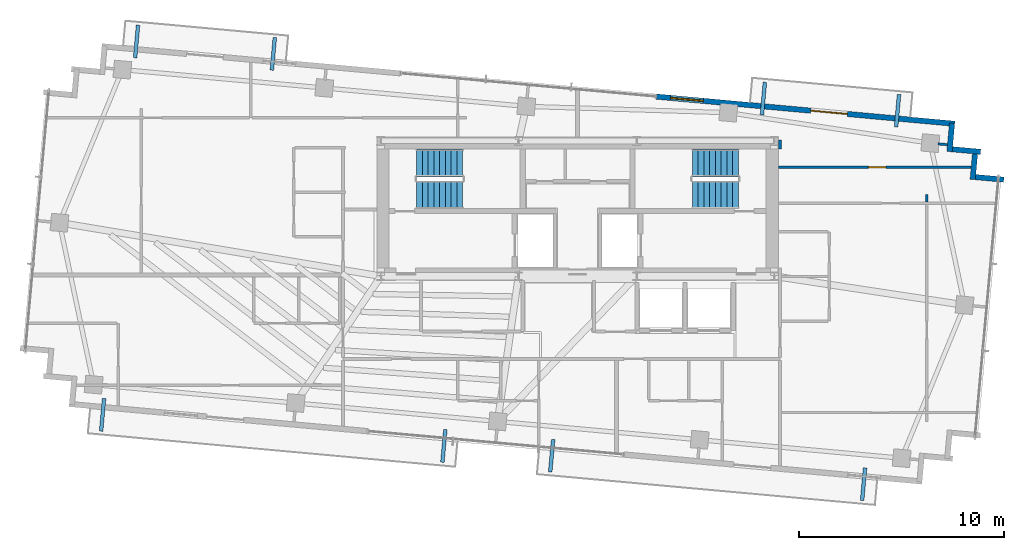
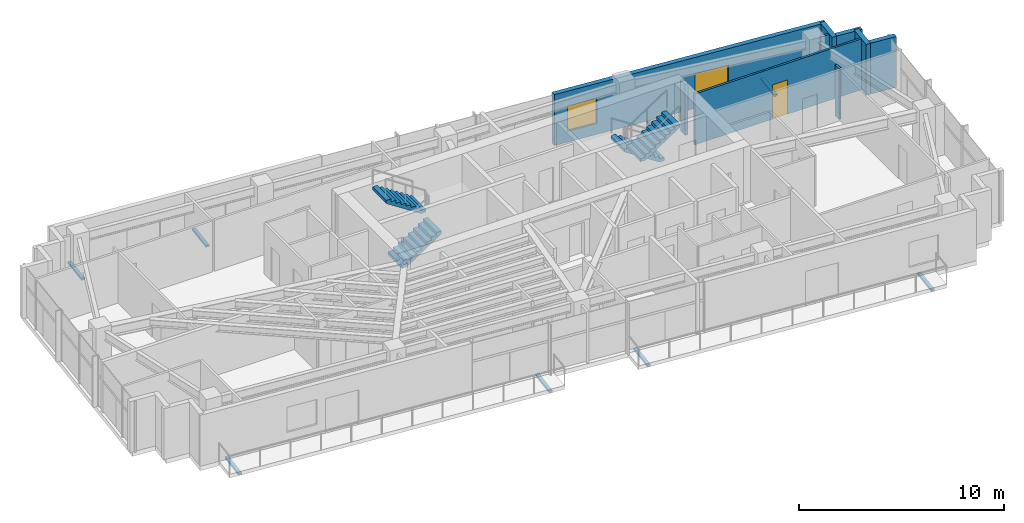
# One storey, part 19 of 22: 9 walls, 8 discrete accessories, 4 stair flights, 2 doors, 1 window, 3 openings, 2 elements without a shape of their own.
"""IFC4 building model written with IfcOpenShell, lengths in metres."""

import ifcopenshell
import ifcopenshell.guid

model = None  # the IFC model being written
_history = None  # IfcOwnerHistory: only IFC2X3 demands one
_inside = {}  # id of a spatial element -> (the spatial element, [elements in it])
_under = {}  # id of a project, library or spatial element -> (it, [spatial elements below it])
_declared = {}  # id of a project -> (the project, [libraries it declares])
_typed = {}  # id of a type object -> (the type object, [elements of that type])
_made_of = {}  # id of a material, layer set ... -> (it, [elements and type objects made of it])


def new_model(schema):
    """Start an empty IFC model of exactly this schema.

    Asked for "IFC4X3", IfcOpenShell would pick the latest addendum, in which some entities
    have other attributes; the version numbers below select the first issue.
    IFC2X3 requires an IfcOwnerHistory on every rooted entity: one is made here for all.
    """
    global model, _history
    if schema == "IFC4X3":
        model = ifcopenshell.file(schema_version=(4, 3, 0, 0))
    else:
        model = ifcopenshell.file(schema=schema)
    _inside.clear()
    _under.clear()
    _declared.clear()
    _typed.clear()
    _made_of.clear()
    _history = None
    if model.schema == "IFC2X3":
        org = make("IfcOrganization", Name="unknown")
        user = make(
            "IfcPersonAndOrganization",
            ThePerson=make("IfcPerson", FamilyName="unknown"),
            TheOrganization=org,
        )
        app = make(
            "IfcApplication",
            ApplicationDeveloper=org,
            Version="unknown",
            ApplicationFullName="unknown",
            ApplicationIdentifier="unknown",
        )
        _history = make(
            "IfcOwnerHistory",
            OwningUser=user,
            OwningApplication=app,
            ChangeAction="ADDED",
            CreationDate=0,
        )
    return model


def make(cls, **values):
    """One entity of the class cls with the attributes given. An attribute that is None is left unset."""
    return model.create_entity(
        cls, **{name: value for name, value in values.items() if value is not None}
    )


def rooted(cls, **values):
    """An entity with a GlobalId (a new one), such as an element, a storey or a relation."""
    return make(cls, GlobalId=ifcopenshell.guid.new(), OwnerHistory=_history, **values)


def si_unit(unit_type, name, prefix=None):
    """IfcSIUnit, for example si_unit("LENGTHUNIT", "METRE", prefix="MILLI")."""
    return make("IfcSIUnit", UnitType=unit_type, Prefix=prefix, Name=name)


def assignment(units):
    """IfcUnitAssignment: the units of a project."""
    return None if units is None else make("IfcUnitAssignment", Units=units)


def point(xyz):
    """IfcCartesianPoint."""
    return None if xyz is None else make("IfcCartesianPoint", Coordinates=xyz)


def direction(xyz):
    """IfcDirection."""
    return None if xyz is None else make("IfcDirection", DirectionRatios=xyz)


def frame(location, z_axis=None, x_axis=None):
    """IfcAxis2Placement3D, a coordinate frame: its origin and axes. An axis left out is left unset."""
    return make(
        "IfcAxis2Placement3D",
        Location=point(location),
        Axis=direction(z_axis),
        RefDirection=direction(x_axis),
    )


def frame_2d(location, x_axis=None):
    """IfcAxis2Placement2D, a coordinate frame in the plane: its origin and x axis."""
    return make(
        "IfcAxis2Placement2D", Location=point(location), RefDirection=direction(x_axis)
    )


def origin():
    """The frame at (0, 0, 0) with its axes left unset."""
    return frame((0.0, 0.0, 0.0))


def origin_2d():
    """The frame at (0, 0) in the plane with its x axis left unset."""
    return frame_2d((0.0, 0.0))


def place(relative_to, where):
    """IfcLocalPlacement: puts the frame where relative to a parent placement (None: the world)."""
    return make(
        "IfcLocalPlacement", PlacementRelTo=relative_to, RelativePlacement=where
    )


def context(
    kind, dimensions, precision=None, world=None, true_north=None, identifier=None
):
    """IfcGeometricRepresentationContext, for example the 3D "Model" context."""
    return make(
        "IfcGeometricRepresentationContext",
        ContextIdentifier=identifier,
        ContextType=kind,
        CoordinateSpaceDimension=dimensions,
        Precision=precision,
        WorldCoordinateSystem=world,
        TrueNorth=true_north,
    )


def subcontext(parent, identifier, kind, view, scale=None):
    """IfcGeometricRepresentationSubContext, for example "Body" below "Model"."""
    return make(
        "IfcGeometricRepresentationSubContext",
        ContextIdentifier=identifier,
        ContextType=kind,
        ParentContext=parent,
        TargetScale=scale,
        TargetView=view,
    )


def project(units=None, contexts=None):
    """IfcProject with its units and contexts."""
    return rooted(
        "IfcProject",
        Name="project",
        RepresentationContexts=contexts,
        UnitsInContext=assignment(units),
    )


def spatial(cls, under=None, at=None, **own):
    """A site, building, storey or space (cls), placed at a placement, below another one or the project."""
    s = rooted(cls, ObjectPlacement=at, **own)
    if under is not None:
        _under.setdefault(under.id(), (under, []))[1].append(s)
    return s


def polyline(points):
    """IfcPolyline through the points."""
    return make("IfcPolyline", Points=[point(p) for p in points])


def profile(cls, at=None, kind="AREA", **sizes):
    """A parametric profile (cls). Its sizes go by their IFC names, for example OverallWidth=200.0."""
    return make(cls, ProfileType=kind, Position=at, **sizes)


def rectangle(**sizes):
    """IfcRectangleProfileDef."""
    return profile("IfcRectangleProfileDef", **sizes)


def outline(outer, holes=None, kind="AREA"):
    """IfcArbitraryClosedProfileDef: a profile drawn as a closed curve; with holes, ...WithVoids."""
    if holes is None:
        return make("IfcArbitraryClosedProfileDef", ProfileType=kind, OuterCurve=outer)
    return make(
        "IfcArbitraryProfileDefWithVoids",
        ProfileType=kind,
        OuterCurve=outer,
        InnerCurves=holes,
    )


def extrude(swept, where, along, depth):
    """IfcExtrudedAreaSolid: the profile swept, set in the frame where, extruded along a direction by depth."""
    return make(
        "IfcExtrudedAreaSolid",
        SweptArea=swept,
        Position=where,
        ExtrudedDirection=direction(along),
        Depth=depth,
    )


def shape(context_of_items, identifier, shape_type, items):
    """IfcShapeRepresentation: the items that make up one representation, for example the "Body"."""
    return make(
        "IfcShapeRepresentation",
        ContextOfItems=context_of_items,
        RepresentationIdentifier=identifier,
        RepresentationType=shape_type,
        Items=items,
    )


def source(mapping_origin, context_of_items, identifier, shape_type, items):
    """IfcRepresentationMap: a shape defined once, which mapped items show again and again."""
    return make(
        "IfcRepresentationMap",
        MappingOrigin=mapping_origin,
        MappedRepresentation=shape(context_of_items, identifier, shape_type, items),
    )


def transform(
    local_origin,
    x_axis=None,
    y_axis=None,
    z_axis=None,
    scale=None,
    scale2=None,
    scale3=None,
    uniform=True,
):
    """IfcCartesianTransformationOperator3D, or its non-uniform kind. x_axis, y_axis, z_axis: its Axis1, 2, 3."""
    if uniform:
        return make(
            "IfcCartesianTransformationOperator3D",
            Axis1=direction(x_axis),
            Axis2=direction(y_axis),
            LocalOrigin=point(local_origin),
            Scale=scale,
            Axis3=direction(z_axis),
        )
    return make(
        "IfcCartesianTransformationOperator3DnonUniform",
        Axis1=direction(x_axis),
        Axis2=direction(y_axis),
        LocalOrigin=point(local_origin),
        Scale=scale,
        Axis3=direction(z_axis),
        Scale2=scale2,
        Scale3=scale3,
    )


def mapped(mapping_source, mapping_target):
    """IfcMappedItem: shows the shape of a source again, moved by a transform."""
    return make(
        "IfcMappedItem", MappingSource=mapping_source, MappingTarget=mapping_target
    )


def material(Name=None, Category=None):
    """IfcMaterial."""
    return make("IfcMaterial", Name=Name, Category=Category)


def layer(
    of_material, thickness, ventilated=None, Name=None, Category=None, Priority=None
):
    """IfcMaterialLayer: one layer of a wall or slab, of a material (None: an air gap)."""
    return make(
        "IfcMaterialLayer",
        Material=of_material,
        LayerThickness=thickness,
        IsVentilated=ventilated,
        Name=Name,
        Category=Category,
        Priority=Priority,
    )


def layer_set(layers, Name=None):
    """IfcMaterialLayerSet."""
    return make("IfcMaterialLayerSet", MaterialLayers=layers, LayerSetName=Name)


def made_of(thing, what):
    """Note that an element or type object is made of a material, layer set ...; save() writes the relation."""
    if what is not None:
        _made_of.setdefault(what.id(), (what, []))[1].append(thing)
    return thing


def type_object(cls, material=None, **own):
    """A type object (cls), such as IfcWallType, which elements share."""
    return made_of(rooted(cls, **own), material)


def type_shapes(of_type, sources):
    """Give a type object the sources (RepresentationMaps) that its elements show as mapped items."""
    of_type.RepresentationMaps = sources


def element(
    cls,
    number,
    at=None,
    inside=None,
    cuts=None,
    type_object=None,
    material=None,
    context=None,
    identifier="Body",
    shape_type=None,
    held_by="IfcProductDefinitionShape",
    body=None,
    shapes=None,
    **own,
):
    """One element of the class cls, such as IfcWall. Its Tag is "e" and its number.

    at: its placement. inside: the storey or other place that contains it. cuts: it is an
    opening in that element (IfcRelVoidsElement). A single representation is given by context,
    identifier, shape_type and body (its items); several are given by shapes. held_by: the class
    of the entity that holds the representations. save() writes the other relations.
    """
    e = rooted(cls, Tag="e%d" % number, ObjectPlacement=at, **own)
    if body is not None:
        shapes = [shape(context, identifier, shape_type, body)]
    if shapes is not None:
        e.Representation = make(held_by, Representations=shapes)
    if inside is not None:
        _inside.setdefault(inside.id(), (inside, []))[1].append(e)
    if cuts is not None:
        rooted(
            "IfcRelVoidsElement", RelatingBuildingElement=cuts, RelatedOpeningElement=e
        )
    if type_object is not None:
        _typed.setdefault(type_object.id(), (type_object, []))[1].append(e)
    return made_of(e, material)


def fill(opening, filler):
    """IfcRelFillsElement: the door or window that sits in an opening."""
    return rooted(
        "IfcRelFillsElement",
        RelatingOpeningElement=opening,
        RelatedBuildingElement=filler,
    )


def aggregate(whole, parts):
    """IfcRelAggregates: a whole, such as a stair, and the parts it consists of."""
    return rooted("IfcRelAggregates", RelatingObject=whole, RelatedObjects=parts)


def save(model, path):
    """Write the relations noted so far, then the file.

    IfcRelAggregates (storeys below a building ...), IfcRelContainedInSpatialStructure (elements
    in a storey), IfcRelDefinesByType, IfcRelAssociatesMaterial and IfcRelDeclares: one each for
    every whole, place, type object, material and project.
    """
    for whole, parts in _under.values():
        aggregate(whole, parts)
    for where, things in _inside.values():
        rooted(
            "IfcRelContainedInSpatialStructure",
            RelatedElements=things,
            RelatingStructure=where,
        )
    for kind, things in _typed.values():
        rooted("IfcRelDefinesByType", RelatedObjects=things, RelatingType=kind)
    for what, things in _made_of.values():
        rooted("IfcRelAssociatesMaterial", RelatedObjects=things, RelatingMaterial=what)
    for by, libraries in _declared.values():
        rooted("IfcRelDeclares", RelatingContext=by, RelatedDefinitions=libraries)
    model.write(path)


model = new_model("IFC4")

# Units and contexts
model_context = context("Model", 3, precision=1e-05, world=origin(), true_north=direction((0.0, 1.0)))
body_context = subcontext(model_context, "Body", "Model", "MODEL_VIEW")
ifc_project = project(units=[si_unit("LENGTHUNIT", "METRE"), si_unit("AREAUNIT", "SQUARE_METRE"), si_unit("VOLUMEUNIT", "CUBIC_METRE"), si_unit("PLANEANGLEUNIT", "RADIAN"), si_unit("MASSUNIT", "GRAM", prefix="KILO")], contexts=[model_context])

# Site, building, storey
site_placement = place(None, origin())
site = spatial("IfcSite", under=ifc_project, at=site_placement, CompositionType="ELEMENT")
building_placement = place(site_placement, origin())
building = spatial("IfcBuilding", under=site, at=building_placement, Name="Astriad Promenade Condominiums", CompositionType="ELEMENT")
storey_placement = place(building_placement, frame((0.0, 0.0, 223.199951171875)))
storey = spatial("IfcBuildingStorey", under=building, at=storey_placement, Name="L64", CompositionType="ELEMENT", Elevation=223.199951171875)

# Wall
ifc_material_1 = material(Name="Fire-Rated Gypsum Partition")
ifc_layer_1 = layer(ifc_material_1, 0.159912109375)
ifc_layer_set_1 = layer_set([ifc_layer_1], Name="Fire-Rated Gypsum Partition")
wall_type_1 = type_object("IfcWallType", Name="WALL-CORR-160", PredefinedType="PARTITIONING", material=ifc_layer_set_1)
wall_1_placement = place(storey_placement, frame((45.8798828125, 23.597900390625, 0.0), z_axis=(0.0, 0.0, 1.0), x_axis=(0.0, 1.0, 0.0)))
element("IfcWall", 1, at=wall_1_placement, inside=storey, type_object=wall_type_1, Name="PT-COR-E-L64-S3", PredefinedType="PARTITIONING", context=body_context, shape_type="SweptSolid", body=[
    extrude(rectangle(XDim=0.4521484375, YDim=0.159912109375, at=frame_2d((0.22607421875, 0.0))), origin(), (0.0, 0.0, 1.0), 3.0400390625),
])

# Wall, openings, door, window
ifc_material_2 = material(Name="Precast concrete C50/60", Category="concrete")
ifc_layer_2 = layer(ifc_material_2, 0.260009765625)
ifc_layer_set_2 = layer_set([ifc_layer_2], Name="Precast concrete C50/60")
wall_type_2 = type_object("IfcWallType", Name="WALL-EXT-TWR-260", PredefinedType="STANDARD", material=ifc_layer_set_2)
wall_2_placement = place(storey_placement, frame((39.839111328125, 26.16552734375, 0.0), z_axis=(0.0, 0.0, 1.0), x_axis=(0.995884447498, -0.090632043071, 0.0)))
wall_2 = element("IfcWall", 2, at=wall_2_placement, inside=storey, type_object=wall_type_2, Name="W-EXT-L64-N2", PredefinedType="STANDARD", context=body_context, shape_type="SweptSolid", body=[
    extrude(rectangle(XDim=14.6298828125, YDim=0.260009765625, at=frame_2d((7.31494140625, 0.0))), origin(), (0.0, 0.0, 1.0), 3.0400390625),
])
opening_1_placement = place(wall_2_placement, frame((7.570068359375, 0.0, 0.0)))
opening_1 = element("IfcOpeningElement", 3, at=opening_1_placement, cuts=wall_2, Name="Opening BD-1822-SLD", PredefinedType="OPENING", context=body_context, shape_type="SweptSolid", body=[
    extrude(rectangle(XDim=1.800048828125, YDim=2.06005859375, at=frame_2d((0.89990234375, 1.030029296875))), frame((0.0, 0.139892578125, 0.0), z_axis=(0.0, -1.0, 0.0), x_axis=(1.0, 0.0, 0.0)), (0.0, 0.0, 1.0), 0.280029296875),
])
opening_2_placement = place(wall_2_placement, frame((0.699951171875, 0.0, 0.64990234375)))
opening_2 = element("IfcOpeningElement", 4, at=opening_2_placement, cuts=wall_2, Name="Opening WIN-TWR-1620", PredefinedType="OPENING", context=body_context, shape_type="SweptSolid", body=[
    extrude(rectangle(XDim=1.60009765625, YDim=1.5, at=frame_2d((0.800048828125, 0.75))), frame((0.0, 0.139892578125, 0.0), z_axis=(0.0, -1.0, 0.0), x_axis=(1.0, 0.0, 0.0)), (0.0, 0.0, 1.0), 0.280029296875),
])
ifc_material_3 = material(Name="Thermally Broken Aluminium Sliding Balcony Door", Category="aluminium")
door_type_1 = type_object("IfcDoorType", Name="BD-1822-SLD", OperationType="NOTDEFINED", PredefinedType="DOOR", material=ifc_material_3)
shared_shape_1 = source(origin(), body_context, "Body", "SweptSolid", [
    extrude(rectangle(XDim=1.800048828125, YDim=2.06005859375, at=frame_2d((0.89990234375, 1.030029296875))), frame((0.0, 0.02490234375, 0.0), z_axis=(0.0, -1.0, 0.0), x_axis=(1.0, 0.0, 0.0)), (0.0, 0.0, 1.0), 0.050048828125),
])
type_shapes(door_type_1, [shared_shape_1])
door_1_placement = place(opening_1_placement, origin())
door_1 = element("IfcDoor", 5, at=door_1_placement, inside=storey, type_object=door_type_1, Name="BD-L64-NE", OperationType="SLIDING_TO_RIGHT", OverallHeight=2.06005859375, OverallWidth=1.800048828125, PredefinedType="DOOR", context=body_context, shape_type="MappedRepresentation", body=[
    mapped(shared_shape_1, transform((0.0, 0.0, 0.0), scale=1.0)),
])
fill(opening_1, door_1)
ifc_material_4 = material(Name="Dark Tinted Triple-Glazed Aluminium Window", Category="aluminium")
window_type = type_object("IfcWindowType", Name="WIN-TWR-1620", PartitioningType="SINGLE_PANEL", PredefinedType="WINDOW", material=ifc_material_4)
shared_shape_2 = source(origin(), body_context, "Body", "SweptSolid", [
    extrude(rectangle(XDim=1.60009765625, YDim=1.5, at=frame_2d((0.800048828125, 0.75))), frame((0.0, 0.030029296875, 0.0), z_axis=(0.0, -1.0, 0.0), x_axis=(1.0, 0.0, 0.0)), (0.0, 0.0, 1.0), 0.06005859375),
])
type_shapes(window_type, [shared_shape_2])
window_placement = place(opening_2_placement, origin())
window = element("IfcWindow", 6, at=window_placement, inside=storey, type_object=window_type, Name="WIN-L64-NE", OverallHeight=1.5, OverallWidth=1.60009765625, PartitioningType="SINGLE_PANEL", PredefinedType="WINDOW", context=body_context, shape_type="MappedRepresentation", body=[
    mapped(shared_shape_2, transform((0.0, 0.0, 0.0), scale=1.0)),
])
fill(opening_2, window)

# Walls
wall_3_placement = place(storey_placement, frame((54.28076171875, 24.866455078125, 0.0), z_axis=(0.0, 0.0, 1.0), x_axis=(-0.090661991521, -0.995881721538, 0.0)))
element("IfcWall", 7, at=wall_3_placement, inside=storey, type_object=wall_type_2, Name="W-SER-L64-09", PredefinedType="STANDARD", context=body_context, shape_type="SweptSolid", body=[
    extrude(rectangle(XDim=1.39501953125, YDim=0.260009765625, at=frame_2d((0.697509765625, 0.0))), origin(), (0.0, 0.0, 1.0), 3.0400390625),
])
for number, where, z_axis, x_axis, name in (
    (8, (54.280517578125, 23.59619140625, 0.0), (0.0, 0.0, 1.0), (0.995883159782, -0.090646191665, 0.0), "W-SER-L64-10"),
    (9, (55.412353515625, 23.50830078125, 0.0), (0.0, 0.0, 1.0), (-0.090646191665, -0.995883159782, 0.0), "W-SER-L64-11"),
    (10, (55.412109375, 22.238037109375, 0.0), (0.0, 0.0, 1.0), (0.995883159782, -0.090646191665, 0.0), "W-SER-L64-12"),
):
    element("IfcWall", number, at=place(storey_placement, frame(where, z_axis=z_axis, x_axis=x_axis)), inside=storey, type_object=wall_type_2, Name=name, PredefinedType="STANDARD", context=body_context, shape_type="SweptSolid", body=[
        extrude(rectangle(XDim=1.395263671875, YDim=0.260009765625, at=frame_2d((0.69775390625, 0.0))), origin(), (0.0, 0.0, 1.0), 3.0400390625),
    ])

# Wall, opening, door
ifc_material_5 = material(Name="Acoustic Metal-Stud Gypsum Partition")
ifc_layer_3 = layer(ifc_material_5, 0.1201171875)
ifc_layer_set_3 = layer_set([ifc_layer_3], Name="Acoustic Metal-Stud Gypsum Partition")
wall_type_3 = type_object("IfcWallType", Name="WALL-PART-120", PredefinedType="PARTITIONING", material=ifc_layer_set_3)
wall_4_placement = place(storey_placement, frame((45.802001953125, 22.717041015625, 0.0), z_axis=(0.0, 0.0, 1.0), x_axis=(1.0, 0.0, 0.0)))
wall_4 = element("IfcWall", 11, at=wall_4_placement, inside=storey, type_object=wall_type_3, Name="PT-L64-E1-WDN1", PredefinedType="PARTITIONING", context=body_context, shape_type="SweptSolid", body=[
    extrude(rectangle(XDim=9.40576171875, YDim=0.1201171875, at=frame_2d((4.702880859375, 0.0))), origin(), (0.0, 0.0, 1.0), 3.0400390625),
])
opening_3_placement = place(wall_4_placement, frame((4.39697265625, 0.0, 0.0)))
opening_3 = element("IfcOpeningElement", 12, at=opening_3_placement, cuts=wall_4, Name="Opening D-INT-085", PredefinedType="OPENING", context=body_context, shape_type="SweptSolid", body=[
    extrude(rectangle(XDim=0.85009765625, YDim=2.050048828125, at=frame_2d((0.425048828125, 1.02490234375))), frame((0.0, 0.070068359375, 0.0), z_axis=(0.0, -1.0, 0.0), x_axis=(1.0, 0.0, 0.0)), (0.0, 0.0, 1.0), 0.14013671875),
])
ifc_material_6 = material(Name="Painted Solid-Core Timber Room Door", Category="wood")
door_type_2 = type_object("IfcDoorType", Name="D-INT-085", OperationType="NOTDEFINED", PredefinedType="DOOR", material=ifc_material_6)
shared_shape_3 = source(origin(), body_context, "Body", "SweptSolid", [
    extrude(rectangle(XDim=0.85009765625, YDim=2.050048828125, at=frame_2d((0.425048828125, 1.02490234375))), frame((0.0, 0.02490234375, 0.0), z_axis=(0.0, -1.0, 0.0), x_axis=(1.0, 0.0, 0.0)), (0.0, 0.0, 1.0), 0.050048828125),
])
type_shapes(door_type_2, [shared_shape_3])
door_2_placement = place(opening_3_placement, origin())
door_2 = element("IfcDoor", 13, at=door_2_placement, inside=storey, type_object=door_type_2, Name="D-WDN1-L64-E1", OperationType="SINGLE_SWING_LEFT", OverallHeight=2.050048828125, OverallWidth=0.85009765625, PredefinedType="DOOR", context=body_context, shape_type="MappedRepresentation", body=[
    mapped(shared_shape_3, transform((0.0, 0.0, 0.0), scale=1.0)),
])
fill(opening_3, door_2)

# Walls
wall_5_placement = place(storey_placement, frame((53.047119140625, 21.01611328125, 0.0), z_axis=(0.0, 0.0, 1.0), x_axis=(0.0, 1.0, 0.0)))
element("IfcWall", 14, at=wall_5_placement, inside=storey, type_object=wall_type_3, Name="PT-L64-E1-WDV4-S3", PredefinedType="PARTITIONING", context=body_context, shape_type="SweptSolid", body=[
    extrude(rectangle(XDim=0.3779296875, YDim=0.1201171875, at=frame_2d((0.18896484375, 0.0))), origin(), (0.0, 0.0, 1.0), 3.0400390625),
])
wall_6_placement = place(storey_placement, frame((53.5966796875, 23.859375, 0.0), z_axis=(0.0, 0.0, 1.0), x_axis=(0.995884462012, -0.090631883588, 0.0)))
element("IfcWall", 15, at=wall_6_placement, inside=storey, type_object=wall_type_3, Name="PT-PIL-L64-PC10-17", PredefinedType="PARTITIONING", context=body_context, shape_type="SweptSolid", body=[
    extrude(rectangle(XDim=0.4580078125, YDim=0.1201171875, at=frame_2d((0.22900390625, 0.0))), origin(), (0.0, 0.0, 1.0), 3.0400390625),
])

# Stair, stair flights
ifc_material_7 = material(Name="Concrete C50/60", Category="concrete")
stair_type = type_object("IfcStairType", Name="STR-CORE-1350", PredefinedType="HALF_TURN_STAIR", material=ifc_material_7)
stair_1_placement = place(storey_placement, origin())
stair_1 = element("IfcStair", 16, at=stair_1_placement, inside=storey, type_object=stair_type, Name="L64 Enclosed Core Exit Stair ST-1", PredefinedType="HALF_TURN_STAIR")
stair_flight_type = type_object("IfcStairFlightType", Name="SFL-CORE-1350", PredefinedType="STRAIGHT", material=ifc_material_7)
shared_shape_4 = source(origin(), body_context, "Body", "SweptSolid", [
    extrude(outline(polyline([(0.0, 0.0), (0.0, 0.183349609375), (0.280029296875, 0.183349609375), (0.280029296875, 0.36669921875), (0.56005859375, 0.36669921875), (0.56005859375, 0.550048828125), (0.840087890625, 0.550048828125), (0.840087890625, 0.7333984375), (1.1201171875, 0.7333984375), (1.1201171875, 0.916748046875), (1.39990234375, 0.916748046875), (1.39990234375, 1.10009765625), (1.679931640625, 1.10009765625), (1.679931640625, 1.283447265625), (1.9599609375, 1.283447265625), (1.9599609375, 1.466552734375), (2.239990234375, 1.466552734375), (2.239990234375, 1.64990234375), (2.239990234375, 1.28759765625), (0.273681640625, 0.0), (0.0, 0.0)])), frame((0.0, 0.675048828125, 0.0), z_axis=(0.0, -1.0, 0.0), x_axis=(1.0, 0.0, 0.0)), (0.0, 0.0, 1.0), 1.35009765625),
])
type_shapes(stair_flight_type, [shared_shape_4])
stair_flight_1_placement = place(storey_placement, frame((28.14990234375, 21.375, 0.0), z_axis=(0.0, 0.0, 1.0), x_axis=(1.0, 0.0, 0.0)))
stair_flight_1 = element("IfcStairFlight", 17, at=stair_flight_1_placement, type_object=stair_flight_type, Name="ST-1 flight 1", NumberOfRisers=9, NumberOfTreads=8, PredefinedType="STRAIGHT", RiserHeight=0.183333333, TreadLength=0.28, context=body_context, shape_type="MappedRepresentation", body=[
    mapped(shared_shape_4, transform((0.0, 0.0, 0.0), scale=1.0)),
])
stair_flight_2_placement = place(storey_placement, frame((30.389892578125, 22.925048828125, 1.650146484375), z_axis=(0.0, 0.0, 1.0), x_axis=(-1.0, 0.0, 0.0)))
stair_flight_2 = element("IfcStairFlight", 18, at=stair_flight_2_placement, type_object=stair_flight_type, Name="ST-1 flight 2", NumberOfRisers=9, NumberOfTreads=8, PredefinedType="STRAIGHT", RiserHeight=0.183333333, TreadLength=0.28, context=body_context, shape_type="MappedRepresentation", body=[
    mapped(shared_shape_4, transform((0.0, 0.0, 0.0), scale=1.0)),
])
aggregate(stair_1, [stair_flight_1, stair_flight_2])

stair_2_placement = place(storey_placement, origin())
stair_2 = element("IfcStair", 19, at=stair_2_placement, inside=storey, type_object=stair_type, Name="L64 Enclosed Core Exit Stair ST-2", PredefinedType="HALF_TURN_STAIR")
stair_flight_3_placement = place(storey_placement, frame((43.85009765625, 22.925048828125, 0.0), z_axis=(0.0, 0.0, 1.0), x_axis=(-1.0, 0.0, 0.0)))
stair_flight_3 = element("IfcStairFlight", 20, at=stair_flight_3_placement, type_object=stair_flight_type, Name="ST-2 flight 1", NumberOfRisers=9, NumberOfTreads=8, PredefinedType="STRAIGHT", RiserHeight=0.183333333, TreadLength=0.28, context=body_context, shape_type="MappedRepresentation", body=[
    mapped(shared_shape_4, transform((0.0, 0.0, 0.0), scale=1.0)),
])
stair_flight_4_placement = place(storey_placement, frame((41.610107421875, 21.375, 1.650146484375), z_axis=(0.0, 0.0, 1.0), x_axis=(1.0, 0.0, 0.0)))
stair_flight_4 = element("IfcStairFlight", 21, at=stair_flight_4_placement, type_object=stair_flight_type, Name="ST-2 flight 2", NumberOfRisers=9, NumberOfTreads=8, PredefinedType="STRAIGHT", RiserHeight=0.183333333, TreadLength=0.28, context=body_context, shape_type="MappedRepresentation", body=[
    mapped(shared_shape_4, transform((0.0, 0.0, 0.0), scale=1.0)),
])
aggregate(stair_2, [stair_flight_3, stair_flight_4])

# Discrete accessories
ifc_material_8 = material(Name="Steel ASTM A572 Grade 50", Category="steel")
discrete_accessory_type = type_object("IfcDiscreteAccessoryType", Name="STEEL BALCONY OUTRIGGER BRACKET", PredefinedType="BRACKET", material=ifc_material_8)
shared_shape_5 = source(origin(), body_context, "Body", "SweptSolid", [
    extrude(rectangle(XDim=1.60009765625, YDim=0.179931640625, at=origin_2d()), origin(), (0.0, 0.0, 1.0), 0.1220703125),
])
type_shapes(discrete_accessory_type, [shared_shape_5])
for number, where, z_axis, x_axis, name in (
    (22, (12.81884765625, 10.630615234375, -0.340087890625), (0.0, 0.0, 1.0), (-0.090632580198, -0.995884398616, 0.0), "Balcony Outrigger Bracket BAL-L64-SW-A"),
    (23, (29.47509765625, 9.11474609375, -0.340087890625), (0.0, 0.0, 1.0), (-0.090632580198, -0.995884398616, 0.0), "Balcony Outrigger Bracket BAL-L64-SW-B"),
    (24, (34.7373046875, 8.635986328125, -0.340087890625), (0.0, 0.0, 1.0), (-0.090632580198, -0.995884398616, 0.0), "Balcony Outrigger Bracket BAL-L64-SE-A"),
    (25, (49.96142578125, 7.25048828125, -0.340087890625), (0.0, 0.0, 1.0), (-0.090632580198, -0.995884398616, 0.0), "Balcony Outrigger Bracket BAL-L64-SE-B"),
    (26, (14.477294921875, 28.855224609375, -0.340087890625), (0.0, 0.0, 1.0), (0.090632580198, 0.995884398616, 0.0), "Balcony Outrigger Bracket BAL-L64-NW-A"),
    (27, (21.15087890625, 28.248046875, -0.340087890625), (0.0, 0.0, 1.0), (0.090632580198, 0.995884398616, 0.0), "Balcony Outrigger Bracket BAL-L64-NW-B"),
    (28, (45.072021484375, 26.071044921875, -0.340087890625), (0.0, 0.0, 1.0), (0.090632580198, 0.995884398616, 0.0), "Balcony Outrigger Bracket BAL-L64-NE-A"),
    (29, (51.619873046875, 25.47509765625, -0.340087890625), (0.0, 0.0, 1.0), (0.090632580198, 0.995884398616, 0.0), "Balcony Outrigger Bracket BAL-L64-NE-B"),
):
    element("IfcDiscreteAccessory", number, at=place(storey_placement, frame(where, z_axis=z_axis, x_axis=x_axis)), inside=storey, type_object=discrete_accessory_type, Name=name, PredefinedType="BRACKET", context=body_context, shape_type="MappedRepresentation", body=[
        mapped(shared_shape_5, transform((0.0, 0.0, 0.0), scale=1.0)),
    ])

save(model, "model.ifc")
